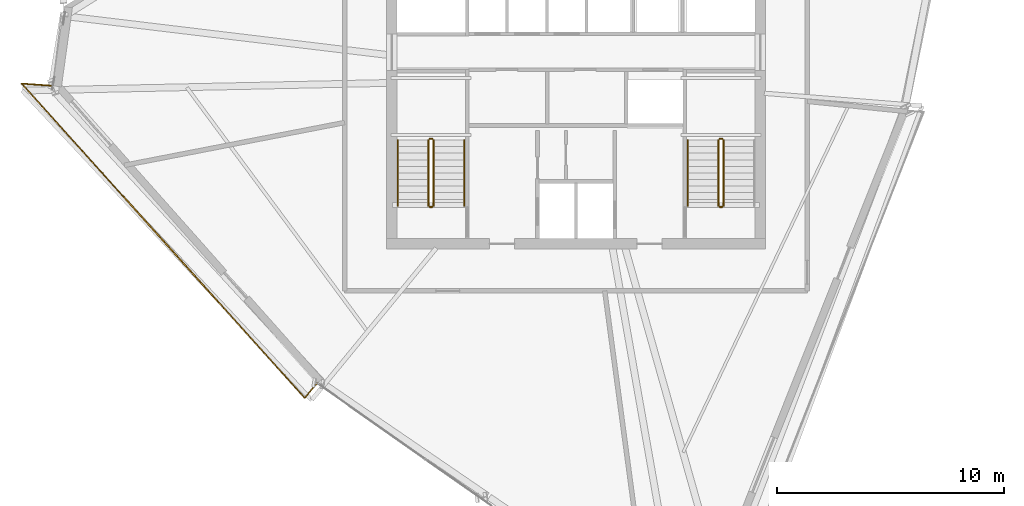
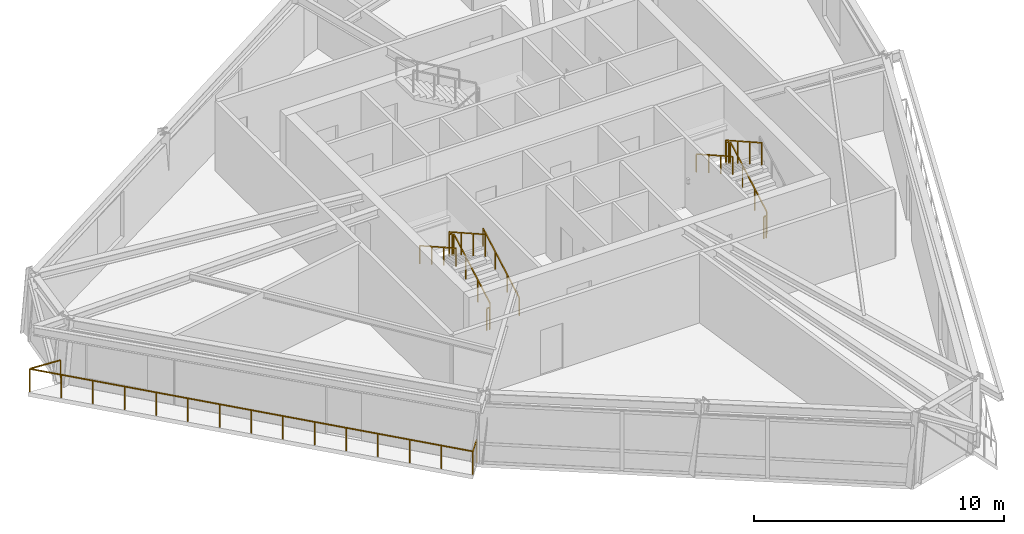
# One storey, part 11 of 13: 12 railings.
"""IFC4 building model written with IfcOpenShell, lengths in metres."""

from ifc_helpers import new_model, si_unit, direction, frame, origin, origin_2d, place, context, subcontext, project, spatial, rectangle, extrude, material, type_object, element, save


model = new_model("IFC4")

# Units and contexts
model_context = context("Model", 3, precision=1e-05, world=origin(), true_north=direction((0.0, 1.0)))
body_context = subcontext(model_context, "Body", "Model", "MODEL_VIEW")
ifc_project = project(units=[si_unit("LENGTHUNIT", "METRE"), si_unit("AREAUNIT", "SQUARE_METRE"), si_unit("VOLUMEUNIT", "CUBIC_METRE"), si_unit("PLANEANGLEUNIT", "RADIAN"), si_unit("MASSUNIT", "GRAM", prefix="KILO")], contexts=[model_context])

# Site, building, storey
site_placement = place(None, origin())
site = spatial("IfcSite", under=ifc_project, at=site_placement, CompositionType="ELEMENT")
building_placement = place(site_placement, origin())
building = spatial("IfcBuilding", under=site, at=building_placement, Name="Olszyna Solenne Hotel", CompositionType="ELEMENT")
storey_placement = place(building_placement, frame((0.0, 0.0, 238.10009765625)))
storey = spatial("IfcBuildingStorey", under=building, at=storey_placement, Name="L63", CompositionType="ELEMENT", Elevation=238.10009765625)

# Railings
ifc_material_1 = material(Name="Anodised bronze aluminium", Category="aluminium")
railing_type_1 = type_object("IfcRailingType", Name="GR-110", PredefinedType="BALUSTRADE", material=ifc_material_1)
railing_1_placement = place(storey_placement, frame((14.9423828125, 26.242431640625, 0.0)))
element("IfcRailing", 1, at=railing_1_placement, inside=storey, type_object=railing_type_1, Name="Loggia balcony balustrade guard GR-L63-LG2", PredefinedType="BALUSTRADE", context=body_context, shape_type="SweptSolid", body=[
    extrude(rectangle(XDim=0.048095703125, YDim=0.048095703125, at=origin_2d()), frame((0.0, 0.0, 1.1259765625), z_axis=(-0.997638700283, 0.068680591858, 0.0), x_axis=(-0.068680591858, -0.997638700283, 0.0)), (0.0, 0.0, 1.0), 1.379150390625),
    extrude(rectangle(XDim=0.048095703125, YDim=0.048095703125, at=origin_2d()), frame((-1.3759765625, 0.0947265625, 1.1259765625), z_axis=(0.669271412024, -0.743018019328, 0.0), x_axis=(0.743018019328, 0.669271412024, 0.0)), (0.0, 0.0, 1.0), 18.64501953125),
    extrude(rectangle(XDim=0.048095703125, YDim=0.048095703125, at=origin_2d()), frame((11.1025390625, -13.7587890625, 1.1259765625), z_axis=(0.643584566874, 0.765375009574, 0.0), x_axis=(-0.765375009574, 0.643584566874, 0.0)), (0.0, 0.0, 1.0), 0.845947265625),
    extrude(rectangle(XDim=0.0419921875, YDim=0.0419921875, at=origin_2d()), origin(), (0.0, 0.0, 1.0), 1.101806640625),
    extrude(rectangle(XDim=0.0419921875, YDim=0.0419921875, at=origin_2d()), frame((-1.3759765625, 0.0947265625, 0.0)), (0.0, 0.0, 1.0), 1.101806640625),
    extrude(rectangle(XDim=0.0419921875, YDim=0.0419921875, at=origin_2d()), frame((-0.484619140625, -0.894775390625, 0.0)), (0.0, 0.0, 1.0), 1.101806640625),
    extrude(rectangle(XDim=0.0419921875, YDim=0.0419921875, at=origin_2d()), frame((0.40673828125, -1.88427734375, 0.0)), (0.0, 0.0, 1.0), 1.101806640625),
    extrude(rectangle(XDim=0.0419921875, YDim=0.0419921875, at=origin_2d()), frame((1.298095703125, -2.873779296875, 0.0)), (0.0, 0.0, 1.0), 1.101806640625),
    extrude(rectangle(XDim=0.0419921875, YDim=0.0419921875, at=origin_2d()), frame((2.189208984375, -3.863525390625, 0.0)), (0.0, 0.0, 1.0), 1.101806640625),
    extrude(rectangle(XDim=0.0419921875, YDim=0.0419921875, at=origin_2d()), frame((3.08056640625, -4.85302734375, 0.0)), (0.0, 0.0, 1.0), 1.101806640625),
    extrude(rectangle(XDim=0.0419921875, YDim=0.0419921875, at=origin_2d()), frame((3.971923828125, -5.842529296875, 0.0)), (0.0, 0.0, 1.0), 1.101806640625),
    extrude(rectangle(XDim=0.0419921875, YDim=0.0419921875, at=origin_2d()), frame((4.86328125, -6.83203125, 0.0)), (0.0, 0.0, 1.0), 1.101806640625),
    extrude(rectangle(XDim=0.0419921875, YDim=0.0419921875, at=origin_2d()), frame((5.754638671875, -7.821533203125, 0.0)), (0.0, 0.0, 1.0), 1.101806640625),
    extrude(rectangle(XDim=0.0419921875, YDim=0.0419921875, at=origin_2d()), frame((6.64599609375, -8.81103515625, 0.0)), (0.0, 0.0, 1.0), 1.101806640625),
    extrude(rectangle(XDim=0.0419921875, YDim=0.0419921875, at=origin_2d()), frame((7.537353515625, -9.800537109375, 0.0)), (0.0, 0.0, 1.0), 1.101806640625),
    extrude(rectangle(XDim=0.0419921875, YDim=0.0419921875, at=origin_2d()), frame((8.428466796875, -10.790283203125, 0.0)), (0.0, 0.0, 1.0), 1.101806640625),
    extrude(rectangle(XDim=0.0419921875, YDim=0.0419921875, at=origin_2d()), frame((9.31982421875, -11.77978515625, 0.0)), (0.0, 0.0, 1.0), 1.101806640625),
    extrude(rectangle(XDim=0.0419921875, YDim=0.0419921875, at=origin_2d()), frame((10.211181640625, -12.769287109375, 0.0)), (0.0, 0.0, 1.0), 1.101806640625),
    extrude(rectangle(XDim=0.0419921875, YDim=0.0419921875, at=origin_2d()), frame((11.1025390625, -13.7587890625, 0.0)), (0.0, 0.0, 1.0), 1.101806640625),
    extrude(rectangle(XDim=0.0419921875, YDim=0.0419921875, at=origin_2d()), frame((11.64697265625, -13.111328125, 0.0)), (0.0, 0.0, 1.0), 1.101806640625),
])
railing_2_placement = place(storey_placement, frame((31.719970703125, 20.949951171875, 0.16357421875)))
element("IfcRailing", 2, at=railing_2_placement, inside=storey, type_object=railing_type_1, Name="L63 ST1 stair guard 1", PredefinedType="BALUSTRADE", context=body_context, shape_type="SweptSolid", body=[
    extrude(rectangle(XDim=0.048095703125, YDim=0.048095703125, at=origin_2d()), frame((0.0, 0.0, 1.076171875), z_axis=(0.0, 0.870946286338, 0.49137823142), x_axis=(-1.0, 0.0, 0.0)), (0.0, 0.0, 1.0), 3.329833984375),
    extrude(rectangle(XDim=0.0419921875, YDim=0.0419921875, at=origin_2d()), origin(), (0.0, 0.0, 1.0), 1.052001953125),
    extrude(rectangle(XDim=0.0419921875, YDim=0.0419921875, at=origin_2d()), frame((0.0, 0.966796875, 0.54541015625)), (0.0, 0.0, 1.0), 1.052001953125),
    extrude(rectangle(XDim=0.0419921875, YDim=0.0419921875, at=origin_2d()), frame((0.0, 1.933349609375, 1.0908203125)), (0.0, 0.0, 1.0), 1.052001953125),
    extrude(rectangle(XDim=0.0419921875, YDim=0.0419921875, at=origin_2d()), frame((0.0, 2.900146484375, 1.63623046875)), (0.0, 0.0, 1.0), 1.052001953125),
])
railing_3_placement = place(storey_placement, frame((31.669921875, 23.89990234375, 1.7998046875)))
element("IfcRailing", 3, at=railing_3_placement, inside=storey, type_object=railing_type_1, Name="L63 ST1 stair guard 2", PredefinedType="BALUSTRADE", context=body_context, shape_type="SweptSolid", body=[
    extrude(rectangle(XDim=0.048095703125, YDim=0.048095703125, at=origin_2d()), frame((0.0, 0.0, 1.076171875), z_axis=(-1.0, 0.0, 0.0), x_axis=(0.0, -1.0, 0.0)), (0.0, 0.0, 1.0), 0.119873046875),
    extrude(rectangle(XDim=0.0419921875, YDim=0.0419921875, at=origin_2d()), origin(), (0.0, 0.0, 1.0), 1.052001953125),
    extrude(rectangle(XDim=0.0419921875, YDim=0.0419921875, at=origin_2d()), frame((-0.119873046875, 0.0, 0.0)), (0.0, 0.0, 1.0), 1.052001953125),
])
railing_4_placement = place(storey_placement, frame((31.5, 23.85009765625, 1.963623046875)))
element("IfcRailing", 4, at=railing_4_placement, inside=storey, type_object=railing_type_1, Name="L63 ST1 stair guard 3", PredefinedType="BALUSTRADE", context=body_context, shape_type="SweptSolid", body=[
    extrude(rectangle(XDim=0.048095703125, YDim=0.048095703125, at=origin_2d()), frame((0.0, 0.0, 1.076171875), z_axis=(0.0, -0.870946286338, 0.49137823142), x_axis=(1.0, 0.0, 0.0)), (0.0, 0.0, 1.0), 3.329833984375),
    extrude(rectangle(XDim=0.0419921875, YDim=0.0419921875, at=origin_2d()), origin(), (0.0, 0.0, 1.0), 1.052001953125),
    extrude(rectangle(XDim=0.0419921875, YDim=0.0419921875, at=origin_2d()), frame((0.0, -0.966796875, 0.54541015625)), (0.0, 0.0, 1.0), 1.052001953125),
    extrude(rectangle(XDim=0.0419921875, YDim=0.0419921875, at=origin_2d()), frame((0.0, -1.933349609375, 1.0908203125)), (0.0, 0.0, 1.0), 1.052001953125),
    extrude(rectangle(XDim=0.0419921875, YDim=0.0419921875, at=origin_2d()), frame((0.0, -2.900146484375, 1.63623046875)), (0.0, 0.0, 1.0), 1.052001953125),
])
railing_5_placement = place(storey_placement, frame((31.669921875, 20.89990234375, 0.0)))
element("IfcRailing", 5, at=railing_5_placement, inside=storey, type_object=railing_type_1, Name="L63 ST1 stair guard 4", PredefinedType="BALUSTRADE", context=body_context, shape_type="SweptSolid", body=[
    extrude(rectangle(XDim=0.048095703125, YDim=0.048095703125, at=origin_2d()), frame((0.0, 0.0, 1.076171875), z_axis=(-1.0, 0.0, 0.0), x_axis=(0.0, -1.0, 0.0)), (0.0, 0.0, 1.0), 0.119873046875),
    extrude(rectangle(XDim=0.0419921875, YDim=0.0419921875, at=origin_2d()), origin(), (0.0, 0.0, 1.0), 1.052001953125),
    extrude(rectangle(XDim=0.0419921875, YDim=0.0419921875, at=origin_2d()), frame((-0.119873046875, 0.0, 0.0)), (0.0, 0.0, 1.0), 1.052001953125),
])
railing_6_placement = place(storey_placement, frame((44.5, 20.949951171875, 0.16357421875)))
element("IfcRailing", 6, at=railing_6_placement, inside=storey, type_object=railing_type_1, Name="L63 ST2 stair guard 1", PredefinedType="BALUSTRADE", context=body_context, shape_type="SweptSolid", body=[
    extrude(rectangle(XDim=0.048095703125, YDim=0.048095703125, at=origin_2d()), frame((0.0, 0.0, 1.076171875), z_axis=(0.0, 0.870946286338, 0.49137823142), x_axis=(-1.0, 0.0, 0.0)), (0.0, 0.0, 1.0), 3.329833984375),
    extrude(rectangle(XDim=0.0419921875, YDim=0.0419921875, at=origin_2d()), origin(), (0.0, 0.0, 1.0), 1.052001953125),
    extrude(rectangle(XDim=0.0419921875, YDim=0.0419921875, at=origin_2d()), frame((0.0, 0.966796875, 0.54541015625)), (0.0, 0.0, 1.0), 1.052001953125),
    extrude(rectangle(XDim=0.0419921875, YDim=0.0419921875, at=origin_2d()), frame((0.0, 1.933349609375, 1.0908203125)), (0.0, 0.0, 1.0), 1.052001953125),
    extrude(rectangle(XDim=0.0419921875, YDim=0.0419921875, at=origin_2d()), frame((0.0, 2.900146484375, 1.63623046875)), (0.0, 0.0, 1.0), 1.052001953125),
])
railing_7_placement = place(storey_placement, frame((44.449951171875, 23.89990234375, 1.7998046875)))
element("IfcRailing", 7, at=railing_7_placement, inside=storey, type_object=railing_type_1, Name="L63 ST2 stair guard 2", PredefinedType="BALUSTRADE", context=body_context, shape_type="SweptSolid", body=[
    extrude(rectangle(XDim=0.048095703125, YDim=0.048095703125, at=origin_2d()), frame((0.0, 0.0, 1.076171875), z_axis=(-1.0, 0.0, 0.0), x_axis=(0.0, -1.0, 0.0)), (0.0, 0.0, 1.0), 0.119873046875),
    extrude(rectangle(XDim=0.0419921875, YDim=0.0419921875, at=origin_2d()), origin(), (0.0, 0.0, 1.0), 1.052001953125),
    extrude(rectangle(XDim=0.0419921875, YDim=0.0419921875, at=origin_2d()), frame((-0.119873046875, 0.0, 0.0)), (0.0, 0.0, 1.0), 1.052001953125),
])
railing_8_placement = place(storey_placement, frame((44.280029296875, 23.85009765625, 1.963623046875)))
element("IfcRailing", 8, at=railing_8_placement, inside=storey, type_object=railing_type_1, Name="L63 ST2 stair guard 3", PredefinedType="BALUSTRADE", context=body_context, shape_type="SweptSolid", body=[
    extrude(rectangle(XDim=0.048095703125, YDim=0.048095703125, at=origin_2d()), frame((0.0, 0.0, 1.076171875), z_axis=(0.0, -0.870946286338, 0.49137823142), x_axis=(1.0, 0.0, 0.0)), (0.0, 0.0, 1.0), 3.329833984375),
    extrude(rectangle(XDim=0.0419921875, YDim=0.0419921875, at=origin_2d()), origin(), (0.0, 0.0, 1.0), 1.052001953125),
    extrude(rectangle(XDim=0.0419921875, YDim=0.0419921875, at=origin_2d()), frame((0.0, -0.966796875, 0.54541015625)), (0.0, 0.0, 1.0), 1.052001953125),
    extrude(rectangle(XDim=0.0419921875, YDim=0.0419921875, at=origin_2d()), frame((0.0, -1.933349609375, 1.0908203125)), (0.0, 0.0, 1.0), 1.052001953125),
    extrude(rectangle(XDim=0.0419921875, YDim=0.0419921875, at=origin_2d()), frame((0.0, -2.900146484375, 1.63623046875)), (0.0, 0.0, 1.0), 1.052001953125),
])
railing_9_placement = place(storey_placement, frame((44.449951171875, 20.89990234375, 0.0)))
element("IfcRailing", 9, at=railing_9_placement, inside=storey, type_object=railing_type_1, Name="L63 ST2 stair guard 4", PredefinedType="BALUSTRADE", context=body_context, shape_type="SweptSolid", body=[
    extrude(rectangle(XDim=0.048095703125, YDim=0.048095703125, at=origin_2d()), frame((0.0, 0.0, 1.076171875), z_axis=(-1.0, 0.0, 0.0), x_axis=(0.0, -1.0, 0.0)), (0.0, 0.0, 1.0), 0.119873046875),
    extrude(rectangle(XDim=0.0419921875, YDim=0.0419921875, at=origin_2d()), origin(), (0.0, 0.0, 1.0), 1.052001953125),
    extrude(rectangle(XDim=0.0419921875, YDim=0.0419921875, at=origin_2d()), frame((-0.119873046875, 0.0, 0.0)), (0.0, 0.0, 1.0), 1.052001953125),
])
ifc_material_2 = material(Name="Steel S355J2", Category="steel")
railing_type_2 = type_object("IfcRailingType", Name="HR-090", PredefinedType="HANDRAIL", material=ifc_material_2)
railing_10_placement = place(storey_placement, frame((33.070068359375, 20.949951171875, 0.16357421875)))
element("IfcRailing", 10, at=railing_10_placement, inside=storey, type_object=railing_type_2, Name="L63 ST1 stair handrail 1", PredefinedType="HANDRAIL", context=body_context, shape_type="SweptSolid", body=[
    extrude(rectangle(XDim=0.048095703125, YDim=0.048095703125, at=origin_2d()), frame((0.0, 0.0, 0.8759765625), z_axis=(0.0, 0.870946286338, 0.49137823142), x_axis=(-1.0, 0.0, 0.0)), (0.0, 0.0, 1.0), 3.329833984375),
    extrude(rectangle(XDim=0.0419921875, YDim=0.0419921875, at=origin_2d()), origin(), (0.0, 0.0, 1.0), 0.851806640625),
    extrude(rectangle(XDim=0.0419921875, YDim=0.0419921875, at=origin_2d()), frame((0.0, 0.966796875, 0.54541015625)), (0.0, 0.0, 1.0), 0.851806640625),
    extrude(rectangle(XDim=0.0419921875, YDim=0.0419921875, at=origin_2d()), frame((0.0, 1.933349609375, 1.0908203125)), (0.0, 0.0, 1.0), 0.851806640625),
    extrude(rectangle(XDim=0.0419921875, YDim=0.0419921875, at=origin_2d()), frame((0.0, 2.900146484375, 1.63623046875)), (0.0, 0.0, 1.0), 0.851806640625),
])
for number, where, name in (
    (11, (30.14990234375, 23.85009765625, 1.963623046875), "L63 ST1 stair handrail 2"),
    (12, (42.929931640625, 23.85009765625, 1.963623046875), "L63 ST2 stair handrail 2"),
):
    element("IfcRailing", number, at=place(storey_placement, frame(where)), inside=storey, type_object=railing_type_2, Name=name, PredefinedType="HANDRAIL", context=body_context, shape_type="SweptSolid", body=[
        extrude(rectangle(XDim=0.048095703125, YDim=0.048095703125, at=origin_2d()), frame((0.0, 0.0, 0.8759765625), z_axis=(0.0, -0.870946286338, 0.49137823142), x_axis=(1.0, 0.0, 0.0)), (0.0, 0.0, 1.0), 3.329833984375),
        extrude(rectangle(XDim=0.0419921875, YDim=0.0419921875, at=origin_2d()), origin(), (0.0, 0.0, 1.0), 0.851806640625),
        extrude(rectangle(XDim=0.0419921875, YDim=0.0419921875, at=origin_2d()), frame((0.0, -0.966796875, 0.54541015625)), (0.0, 0.0, 1.0), 0.851806640625),
        extrude(rectangle(XDim=0.0419921875, YDim=0.0419921875, at=origin_2d()), frame((0.0, -1.933349609375, 1.0908203125)), (0.0, 0.0, 1.0), 0.851806640625),
        extrude(rectangle(XDim=0.0419921875, YDim=0.0419921875, at=origin_2d()), frame((0.0, -2.900146484375, 1.63623046875)), (0.0, 0.0, 1.0), 0.851806640625),
    ])

save(model, "model.ifc")
